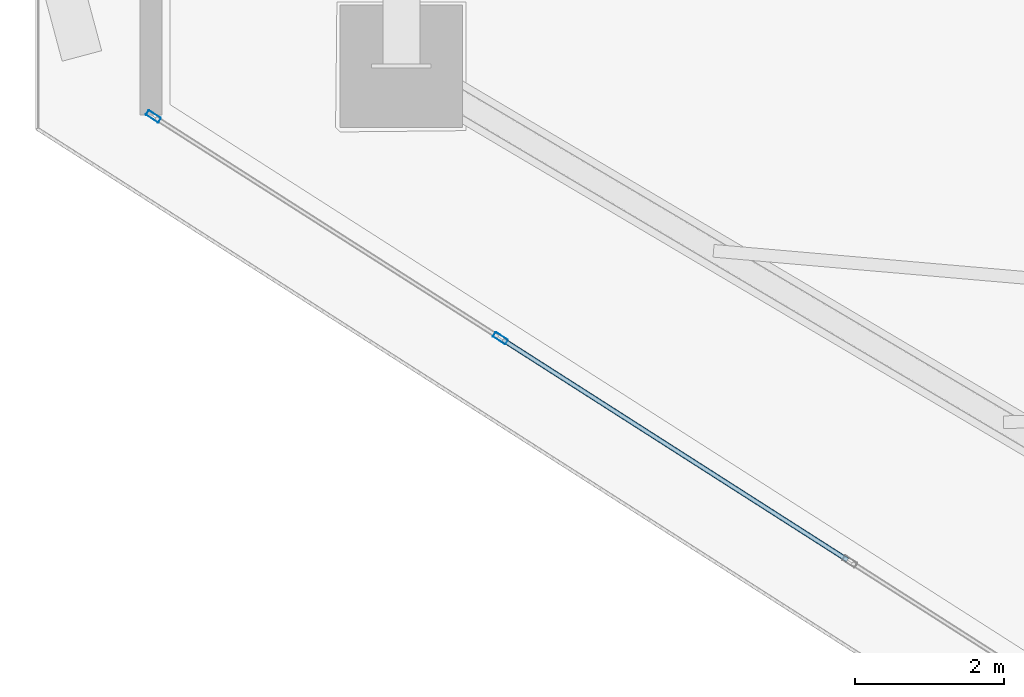
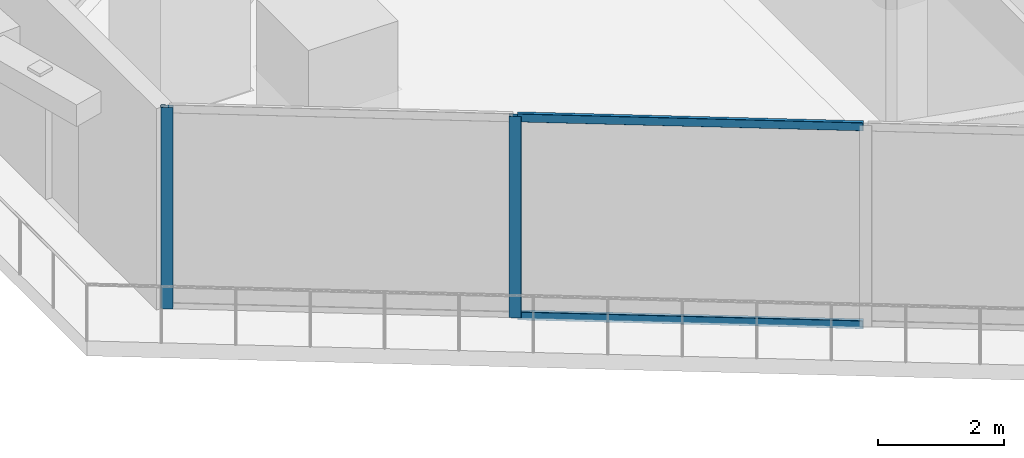
# One storey, part 6 of 34: 4 members, 1 element without a shape of its own.
"""IFC4 building model written with IfcOpenShell, lengths in metres."""

from ifc_helpers import new_model, si_unit, direction, frame, origin, origin_2d, place, context, subcontext, project, spatial, hollow_rectangle, extrude, material, layer, layer_set, material_profile, profile_set, type_object, element, aggregate, save


model = new_model("IFC4")

# Units and contexts
model_context = context("Model", 3, precision=1e-05, world=origin(), true_north=direction((0.0, 1.0)))
body_context = subcontext(model_context, "Body", "Model", "MODEL_VIEW")
ifc_project = project(units=[si_unit("LENGTHUNIT", "METRE"), si_unit("AREAUNIT", "SQUARE_METRE"), si_unit("VOLUMEUNIT", "CUBIC_METRE"), si_unit("PLANEANGLEUNIT", "RADIAN"), si_unit("MASSUNIT", "GRAM", prefix="KILO")], contexts=[model_context])

# Site, building, storey
site_placement = place(None, origin())
site = spatial("IfcSite", under=ifc_project, at=site_placement, CompositionType="ELEMENT")
building_placement = place(site_placement, origin())
building = spatial("IfcBuilding", under=site, at=building_placement, Name="Qorvath Tower", CompositionType="ELEMENT")
storey_placement = place(building_placement, frame((0.0, 0.0, 276.60009765625)))
storey = spatial("IfcBuildingStorey", under=building, at=storey_placement, Name="L64", CompositionType="ELEMENT", Elevation=276.60009765625)

# Curtain wall, members
ifc_material_1 = material(Name="Anodised aluminium and triple low-E glass", Category="aluminium")
ifc_layer = layer(ifc_material_1, 0.179931640625)
ifc_layer_set = layer_set([ifc_layer], Name="CW-SYS-4")
curtain_wall_type = type_object("IfcCurtainWallType", Name="CW-SYS-4", PredefinedType="NOTDEFINED", material=ifc_layer_set)
curtain_wall_placement = place(storey_placement, origin())
curtain_wall = element("IfcCurtainWall", 1, at=curtain_wall_placement, inside=storey, type_object=curtain_wall_type, Name="Curtain Wall CW-4 CW-T-L64-2.1", PredefinedType="NOTDEFINED")
ifc_material_2 = material(Name="Anodised aluminium 6063-T6", Category="aluminium")
ifc_material_profile_1 = material_profile(ifc_material_2, hollow_rectangle(XDim=0.074951171875, YDim=0.199951171875, WallThickness=0.00390625, InnerFilletRadius=0.00390625, OuterFilletRadius=0.008056640625, at=origin_2d()), Name="CWM 200x75")
ifc_profile_set_1 = profile_set([ifc_material_profile_1], Name="Anodised aluminium 6063-T6")
member_type_1 = type_object("IfcMemberType", Name="CWM-200", PredefinedType="MULLION", material=ifc_profile_set_1)
member_1_placement = place(storey_placement, frame((-50.87451171875, -3.026123046875, 0.0), z_axis=(0.0, 0.0, 1.0), x_axis=(0.538533509281, 0.842604094093, 0.0)))
member_1 = element("IfcMember", 2, at=member_1_placement, type_object=member_type_1, Name="CW-4 mullion 1", PredefinedType="MULLION", context=body_context, shape_type="SweptSolid", body=[
    extrude(hollow_rectangle(XDim=0.074951171875, YDim=0.199951171875, WallThickness=0.00390625, InnerFilletRadius=0.00390625, OuterFilletRadius=0.008056640625, at=origin_2d()), origin(), (0.0, 0.0, 1.0), 3.909912109375),
])
member_2_placement = place(storey_placement, frame((-46.203125, -6.01171875, 0.0), z_axis=(0.0, 0.0, 1.0), x_axis=(0.538533509281, 0.842604094093, 0.0)))
member_2 = element("IfcMember", 3, at=member_2_placement, type_object=member_type_1, Name="CW-4 mullion 2", PredefinedType="MULLION", context=body_context, shape_type="SweptSolid", body=[
    extrude(hollow_rectangle(XDim=0.074951171875, YDim=0.199951171875, WallThickness=0.00390625, InnerFilletRadius=0.00390625, OuterFilletRadius=0.008056640625, at=origin_2d()), origin(), (0.0, 0.0, 1.0), 3.909912109375),
])
ifc_material_3 = material(Name="Anodised aluminium 6063-T6", Category="aluminium")
ifc_material_profile_2 = material_profile(ifc_material_3, hollow_rectangle(XDim=0.06494140625, YDim=0.159912109375, WallThickness=0.00341796875, InnerFilletRadius=0.00341796875, OuterFilletRadius=0.007080078125, at=origin_2d()), Name="CWT 160x65")
ifc_profile_set_2 = profile_set([ifc_material_profile_2], Name="Anodised aluminium 6063-T6")
member_type_2 = type_object("IfcMemberType", Name="CWT-160", PredefinedType="USERDEFINED", material=ifc_profile_set_2)
member_3_placement = place(storey_placement, frame((-46.17138671875, -6.031982421875, 0.032470703125), z_axis=(0.842597346925, -0.538544065935, 0.0), x_axis=(0.538544065935, 0.842597346925, 0.0)))
member_3 = element("IfcMember", 4, at=member_3_placement, type_object=member_type_2, Name="CW-4 transom 2.1", ObjectType="TRANSOM", PredefinedType="USERDEFINED", context=body_context, shape_type="SweptSolid", body=[
    extrude(hollow_rectangle(XDim=0.06494140625, YDim=0.159912109375, WallThickness=0.00341796875, InnerFilletRadius=0.00341796875, OuterFilletRadius=0.007080078125, at=origin_2d()), origin(), (0.0, 0.0, 1.0), 5.506591796875),
])
member_4_placement = place(storey_placement, frame((-46.17138671875, -6.031982421875, 3.87744140625), z_axis=(0.842597346925, -0.538544065935, 0.0), x_axis=(0.538544065935, 0.842597346925, 0.0)))
member_4 = element("IfcMember", 5, at=member_4_placement, type_object=member_type_2, Name="CW-4 transom 2.2", ObjectType="TRANSOM", PredefinedType="USERDEFINED", context=body_context, shape_type="SweptSolid", body=[
    extrude(hollow_rectangle(XDim=0.06494140625, YDim=0.159912109375, WallThickness=0.00341796875, InnerFilletRadius=0.00341796875, OuterFilletRadius=0.007080078125, at=origin_2d()), origin(), (0.0, 0.0, 1.0), 5.506591796875),
])
aggregate(curtain_wall, [member_1, member_2, member_3, member_4])

save(model, "model.ifc")
